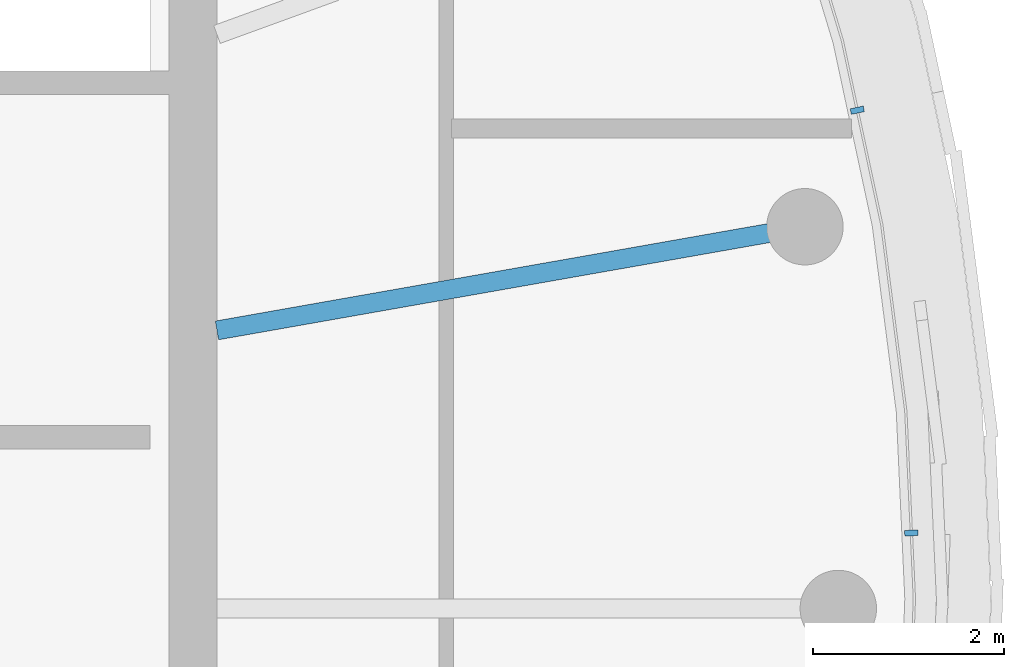
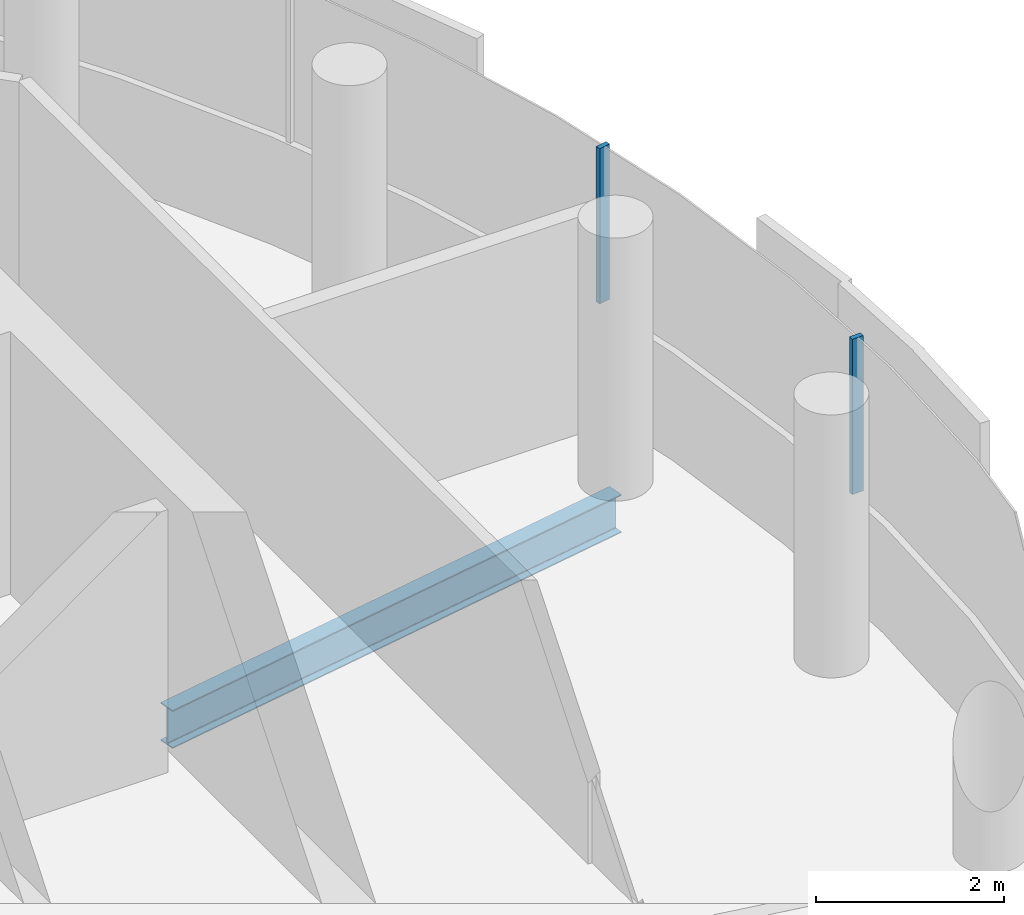
# One storey, part 7 of 20: 2 members, 1 beam, 1 element without a shape of its own.
"""IFC4 building model written with IfcOpenShell, lengths in metres."""

from ifc_helpers import new_model, si_unit, direction, frame, origin, origin_2d, place, context, subcontext, project, spatial, rectangle, i_section, extrude, material, layer, layer_set, material_profile, profile_set, type_object, element, aggregate, save


model = new_model("IFC4")

# Units and contexts
model_context = context("Model", 3, precision=1e-05, world=origin(), true_north=direction((0.0, 1.0)))
body_context = subcontext(model_context, "Body", "Model", "MODEL_VIEW")
ifc_project = project(units=[si_unit("LENGTHUNIT", "METRE"), si_unit("AREAUNIT", "SQUARE_METRE"), si_unit("VOLUMEUNIT", "CUBIC_METRE"), si_unit("PLANEANGLEUNIT", "RADIAN"), si_unit("MASSUNIT", "GRAM", prefix="KILO")], contexts=[model_context])

# Site, building, storey
site_placement = place(None, origin())
site = spatial("IfcSite", under=ifc_project, at=site_placement, CompositionType="ELEMENT")
building_placement = place(site_placement, origin())
building = spatial("IfcBuilding", under=site, at=building_placement, Name="Tamarind Cross Interchange Tower", CompositionType="ELEMENT")
storey_placement = place(building_placement, frame((0.0, 0.0, 274.800048828125)))
storey = spatial("IfcBuildingStorey", under=building, at=storey_placement, Name="L70", CompositionType="ELEMENT", Elevation=274.800048828125)

# Beam
ifc_material_1 = material(Name="Steel Q355B", Category="steel")
ifc_material_profile_1 = material_profile(ifc_material_1, i_section(OverallWidth=0.198974609375, OverallDepth=0.49609375, WebThickness=0.009033203125, FlangeThickness=0.013916015625, FilletRadius=0.012939453125, at=origin_2d()), Name="HN 496x199x9x14")
ifc_profile_set_1 = profile_set([ifc_material_profile_1], Name="Steel Q355B")
beam_type = type_object("IfcBeamType", Name="Composite beam HN 496x199x9x14 Q355B", PredefinedType="BEAM", material=ifc_profile_set_1)
beam_placement = place(storey_placement, frame((22.650634765625, 3.993896484375, -0.387939453125), z_axis=(-0.984809127561, -0.173640382036, 0.0), x_axis=(0.173640382036, -0.984809127561, 0.0)))
element("IfcBeam", 1, at=beam_placement, inside=storey, type_object=beam_type, Name="Beam HH01", PredefinedType="BEAM", context=body_context, shape_type="SweptSolid", body=[
    extrude(i_section(OverallWidth=0.198974609375, OverallDepth=0.49609375, WebThickness=0.009033203125, FlangeThickness=0.013916015625, FilletRadius=0.012939453125, at=origin_2d()), origin(), (0.0, 0.0, 1.0), 6.24560546875),
])

# Curtain wall, members
ifc_material_2 = material(Name="Aluminium 6063-T6", Category="aluminium")
ifc_layer = layer(ifc_material_2, 0.139892578125)
ifc_layer_set = layer_set([ifc_layer], Name="Aluminium 6063-T6")
curtain_wall_type = type_object("IfcCurtainWallType", Name="Hotel curtain wall, 4.5 m bays", PredefinedType="NOTDEFINED", material=ifc_layer_set)
curtain_wall_placement = place(storey_placement, origin())
curtain_wall = element("IfcCurtainWall", 2, at=curtain_wall_placement, inside=storey, type_object=curtain_wall_type, Name="CWS-L70-01", PredefinedType="NOTDEFINED")
ifc_material_profile_2 = material_profile(ifc_material_2, rectangle(XDim=0.06005859375, YDim=0.139892578125, at=origin_2d()), Name="Mullion CW2")
ifc_profile_set_2 = profile_set([ifc_material_profile_2], Name="Aluminium 6063-T6")
member_type = type_object("IfcMemberType", Name="Mullion CW2", PredefinedType="MULLION", material=ifc_profile_set_2)
member_1_placement = place(storey_placement, frame((23.76416015625, 0.7900390625, 1.39990234375), z_axis=(0.0, 0.0, 1.0), x_axis=(-0.045624486728, 0.998958660912, 0.0)))
member_1 = element("IfcMember", 3, at=member_1_placement, type_object=member_type, Name="CWM-L70-01-22", PredefinedType="MULLION", context=body_context, shape_type="SweptSolid", body=[
    extrude(rectangle(XDim=0.06005859375, YDim=0.139892578125, at=origin_2d()), origin(), (0.0, 0.0, 1.0), 2.02001953125),
])
member_2_placement = place(storey_placement, frame((23.1982421875, 5.212646484375, 1.39990234375), z_axis=(0.0, 0.0, 1.0), x_axis=(-0.209425419705, 0.977824623121, 0.0)))
member_2 = element("IfcMember", 4, at=member_2_placement, type_object=member_type, Name="CWM-L70-01-23", PredefinedType="MULLION", context=body_context, shape_type="SweptSolid", body=[
    extrude(rectangle(XDim=0.06005859375, YDim=0.139892578125, at=origin_2d()), origin(), (0.0, 0.0, 1.0), 2.02001953125),
])
aggregate(curtain_wall, [member_1, member_2])

save(model, "model.ifc")
